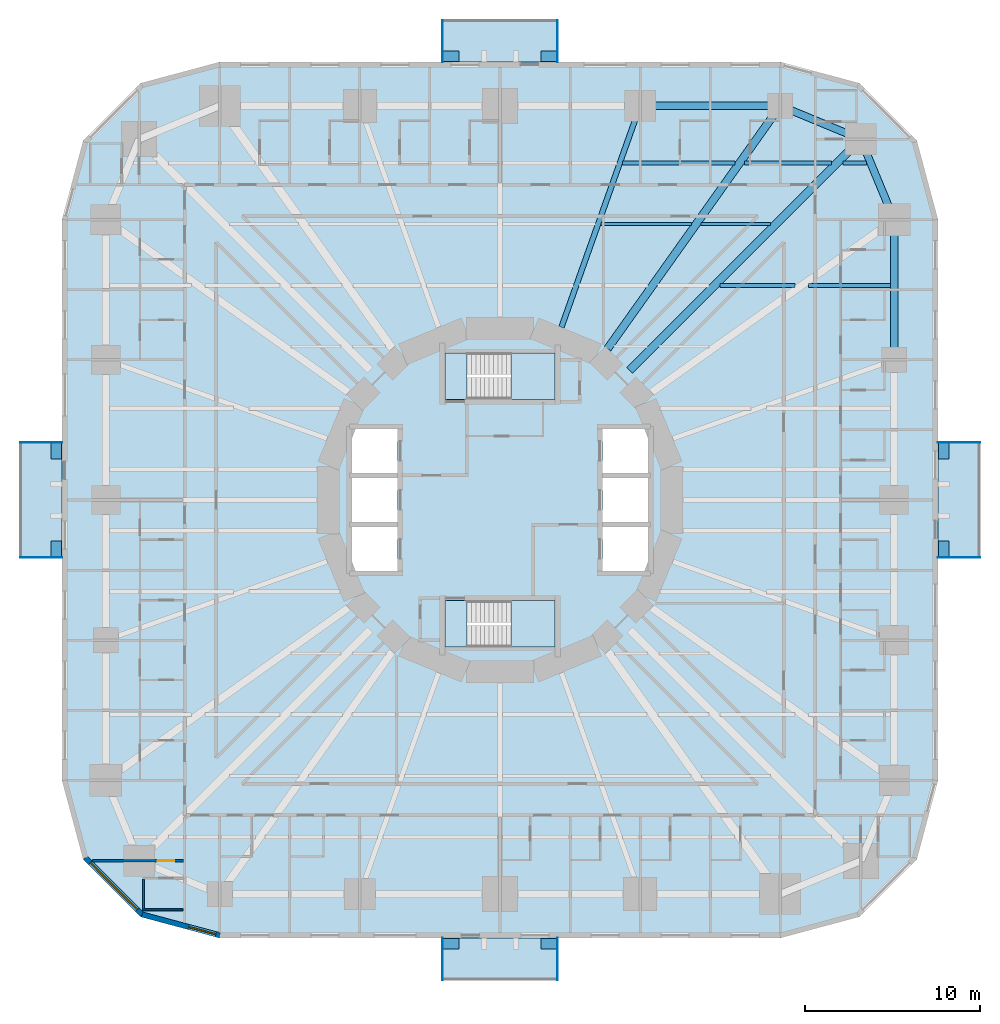
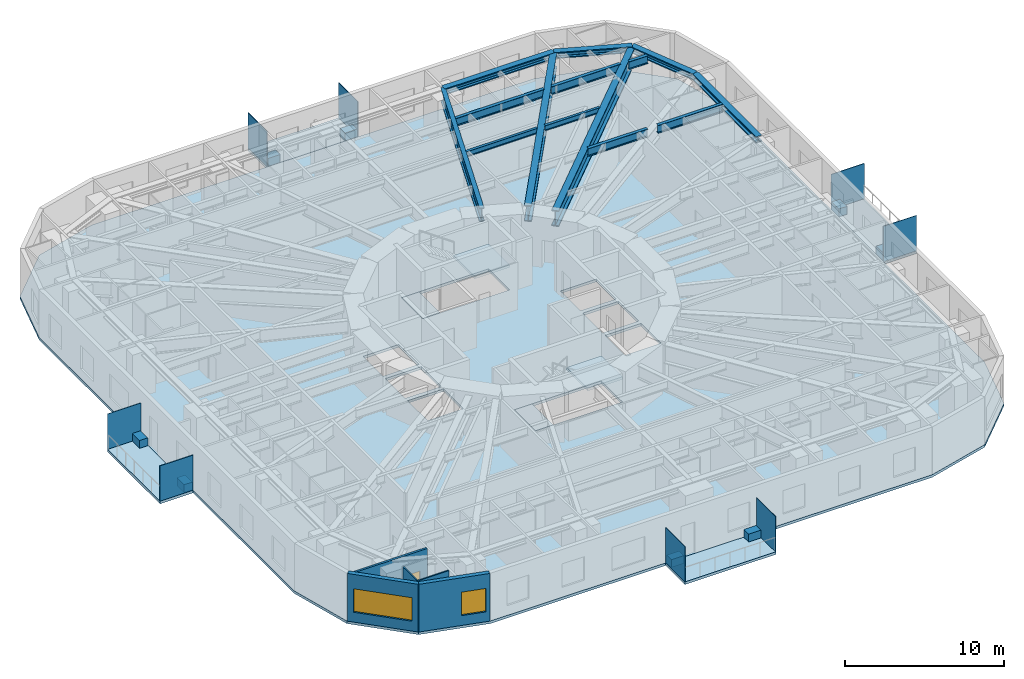
# One storey, part 3 of 14: 16 plates, 10 beams, 9 slabs, 5 walls, 4 members, 2 windows, 1 door, 3 openings, 2 elements without a shape of their own.
"""IFC4 building model written with IfcOpenShell, lengths in metres."""

from ifc_helpers import new_model, si_unit, direction, frame, frame_2d, origin, origin_2d, place, context, subcontext, project, spatial, polyline, rectangle, i_section, outline, extrude, material, layer, layer_set, material_profile, profile_set, type_object, element, fill, aggregate, save


model = new_model("IFC4")

# Units and contexts
model_context = context("Model", 3, precision=1e-05, world=origin(), true_north=direction((0.0, 1.0)))
body_context = subcontext(model_context, "Body", "Model", "MODEL_VIEW")
ifc_project = project(units=[si_unit("LENGTHUNIT", "METRE"), si_unit("AREAUNIT", "SQUARE_METRE"), si_unit("VOLUMEUNIT", "CUBIC_METRE"), si_unit("PLANEANGLEUNIT", "RADIAN"), si_unit("MASSUNIT", "GRAM", prefix="KILO")], contexts=[model_context])

# Site, building, storey
site_placement = place(None, origin())
site = spatial("IfcSite", under=ifc_project, at=site_placement, CompositionType="ELEMENT")
building_placement = place(site_placement, origin())
building = spatial("IfcBuilding", under=site, at=building_placement, Name="Nakasero Lantern House", CompositionType="ELEMENT")
storey_placement = place(building_placement, frame((0.0, 0.0, 50.64990234375)))
storey = spatial("IfcBuildingStorey", under=building, at=storey_placement, Name="L12", CompositionType="ELEMENT", Elevation=50.64990234375)

# Members
ifc_material_1 = material(Name="Steel S355", Category="steel")
ifc_material_profile_1 = material_profile(ifc_material_1, i_section(OverallWidth=0.424072265625, OverallDepth=0.474609375, WebThickness=0.047607421875, FlangeThickness=0.076904296875, FilletRadius=0.01513671875, at=origin_2d()), Name="UC 356x406x634")
ifc_profile_set_1 = profile_set([ifc_material_profile_1], Name="Steel S355")
member_type = type_object("IfcMemberType", Name="Belt truss chord UC 356x406x634", PredefinedType="CHORD", material=ifc_profile_set_1)
member_1_placement = place(storey_placement, frame((22.5, 8.0, 3.412841796875), z_axis=(0.0, 1.0, 0.0), x_axis=(-1.0, 0.0, 0.0)))
element("IfcMember", 1, at=member_1_placement, inside=storey, type_object=member_type, Name="Belt truss bottom chord T1 B1-C04", PredefinedType="CHORD", context=body_context, shape_type="SweptSolid", body=[
    extrude(i_section(OverallWidth=0.424072265625, OverallDepth=0.474609375, WebThickness=0.047607421875, FlangeThickness=0.076904296875, FilletRadius=0.01513671875, at=origin_2d()), origin(), (0.0, 0.0, 1.0), 8.0),
])
for number, where, z_axis, x_axis, name in (
    (2, (22.5, 16.0, 3.412841796875), (-0.382684080569, 0.923879264016, 0.0), (-0.923879264016, -0.382684080569, 0.0), "Belt truss bottom chord T1 B1-C05"),
    (3, (20.59619140625, 20.59619140625, 3.412841796875), (-0.923879264016, 0.382684080569, 0.0), (-0.382684080569, -0.923879264016, 0.0), "Belt truss bottom chord T1 B1-C06"),
):
    element("IfcMember", number, at=place(storey_placement, frame(where, z_axis=z_axis, x_axis=x_axis)), inside=storey, type_object=member_type, Name=name, PredefinedType="CHORD", context=body_context, shape_type="SweptSolid", body=[
        extrude(i_section(OverallWidth=0.424072265625, OverallDepth=0.474609375, WebThickness=0.047607421875, FlangeThickness=0.076904296875, FilletRadius=0.01513671875, at=origin_2d()), origin(), (0.0, 0.0, 1.0), 4.974853515625),
    ])
member_2_placement = place(storey_placement, frame((16.0, 22.5, 3.412841796875), z_axis=(-1.0, 0.0, 0.0), x_axis=(0.0, -1.0, 0.0)))
element("IfcMember", 4, at=member_2_placement, inside=storey, type_object=member_type, Name="Belt truss bottom chord T1 B1-C07", PredefinedType="CHORD", context=body_context, shape_type="SweptSolid", body=[
    extrude(i_section(OverallWidth=0.424072265625, OverallDepth=0.474609375, WebThickness=0.047607421875, FlangeThickness=0.076904296875, FilletRadius=0.01513671875, at=origin_2d()), origin(), (0.0, 0.0, 1.0), 8.0),
])

# Beams
ifc_material_2 = material(Name="Steel S355", Category="steel")
ifc_material_profile_2 = material_profile(ifc_material_2, i_section(OverallWidth=0.177978515625, OverallDepth=0.406494140625, WebThickness=0.0078125, FlangeThickness=0.0126953125, FilletRadius=0.01025390625, at=origin_2d()), Name="UB 406x178x60")
ifc_profile_set_2 = profile_set([ifc_material_profile_2], Name="Steel S355")
beam_type_1 = type_object("IfcBeamType", Name="Infill beam UB 406x178x60", PredefinedType="JOIST", material=ifc_profile_set_2)
beam_1_placement = place(storey_placement, frame((5.761962890625, 15.75, 3.44677734375), z_axis=(1.0, 0.0, 0.0), x_axis=(0.0, 1.0, 0.0)))
element("IfcBeam", 5, at=beam_1_placement, inside=storey, type_object=beam_type_1, Name="Infill beam L13 12.5", PredefinedType="JOIST", context=body_context, shape_type="SweptSolid", body=[
    extrude(i_section(OverallWidth=0.177978515625, OverallDepth=0.406494140625, WebThickness=0.0078125, FlangeThickness=0.0126953125, FilletRadius=0.01025390625, at=origin_2d()), origin(), (0.0, 0.0, 1.0), 5.161865234375),
])
beam_2_placement = place(storey_placement, frame((11.47607421875, 15.75, 3.44677734375), z_axis=(1.0, 0.0, 0.0), x_axis=(0.0, 1.0, 0.0)))
element("IfcBeam", 6, at=beam_2_placement, inside=storey, type_object=beam_type_1, Name="Infill beam L13 12.6", PredefinedType="JOIST", context=body_context, shape_type="SweptSolid", body=[
    extrude(i_section(OverallWidth=0.177978515625, OverallDepth=0.406494140625, WebThickness=0.0078125, FlangeThickness=0.0126953125, FilletRadius=0.01025390625, at=origin_2d()), origin(), (0.0, 0.0, 1.0), 3.955810546875),
])
ifc_material_3 = material(Name="Steel S355", Category="steel")
ifc_material_profile_3 = material_profile(ifc_material_3, i_section(OverallWidth=0.22900390625, OverallDepth=0.6123046875, WebThickness=0.011962890625, FlangeThickness=0.01953125, FilletRadius=0.0126953125, at=origin_2d()), Name="UB 610x229x125")
ifc_profile_set_3 = profile_set([ifc_material_profile_3], Name="Steel S355")
beam_type_2 = type_object("IfcBeamType", Name="Infill beam UB 610x229x125", PredefinedType="JOIST", material=ifc_profile_set_3)
beam_3_placement = place(storey_placement, frame((12.568115234375, 12.25, 3.343994140625), z_axis=(1.0, 0.0, 0.0), x_axis=(0.0, 1.0, 0.0)))
element("IfcBeam", 7, at=beam_3_placement, inside=storey, type_object=beam_type_2, Name="Infill beam L13 11.9", PredefinedType="JOIST", context=body_context, shape_type="SweptSolid", body=[
    extrude(i_section(OverallWidth=0.22900390625, OverallDepth=0.6123046875, WebThickness=0.011962890625, FlangeThickness=0.01953125, FilletRadius=0.0126953125, at=origin_2d()), origin(), (0.0, 0.0, 1.0), 4.270263671875),
])
beam_4_placement = place(storey_placement, frame((17.61474609375, 12.25, 3.343994140625), z_axis=(1.0, 0.0, 0.0), x_axis=(0.0, 1.0, 0.0)))
element("IfcBeam", 8, at=beam_4_placement, inside=storey, type_object=beam_type_2, Name="Infill beam L13 11.10", PredefinedType="JOIST", context=body_context, shape_type="SweptSolid", body=[
    extrude(i_section(OverallWidth=0.22900390625, OverallDepth=0.6123046875, WebThickness=0.011962890625, FlangeThickness=0.01953125, FilletRadius=0.0126953125, at=origin_2d()), origin(), (0.0, 0.0, 1.0), 4.67333984375),
])
beam_5_placement = place(storey_placement, frame((7.006591796875, 19.25, 3.343994140625), z_axis=(1.0, 0.0, 0.0), x_axis=(0.0, 1.0, 0.0)))
element("IfcBeam", 9, at=beam_5_placement, inside=storey, type_object=beam_type_2, Name="Infill beam L13 13.6", PredefinedType="JOIST", context=body_context, shape_type="SweptSolid", body=[
    extrude(i_section(OverallWidth=0.22900390625, OverallDepth=0.6123046875, WebThickness=0.011962890625, FlangeThickness=0.01953125, FilletRadius=0.0126953125, at=origin_2d()), origin(), (0.0, 0.0, 1.0), 6.40625),
])
beam_6_placement = place(storey_placement, frame((13.965087890625, 19.25, 3.343994140625), z_axis=(1.0, 0.0, 0.0), x_axis=(0.0, 1.0, 0.0)))
element("IfcBeam", 10, at=beam_6_placement, inside=storey, type_object=beam_type_2, Name="Infill beam L13 13.7", PredefinedType="JOIST", context=body_context, shape_type="SweptSolid", body=[
    extrude(i_section(OverallWidth=0.22900390625, OverallDepth=0.6123046875, WebThickness=0.011962890625, FlangeThickness=0.01953125, FilletRadius=0.0126953125, at=origin_2d()), origin(), (0.0, 0.0, 1.0), 4.966796875),
])
beam_7_placement = place(storey_placement, frame((19.568115234375, 19.25, 3.2939453125), z_axis=(1.0, 0.0, 0.0), x_axis=(0.0, 1.0, 0.0)))
element("IfcBeam", 11, at=beam_7_placement, inside=storey, type_object=beam_type_2, Name="Infill beam L13 13.8", PredefinedType="JOIST", context=body_context, shape_type="SweptSolid", body=[
    extrude(i_section(OverallWidth=0.22900390625, OverallDepth=0.6123046875, WebThickness=0.011962890625, FlangeThickness=0.01953125, FilletRadius=0.0126953125, at=origin_2d()), origin(), (0.0, 0.0, 1.0), 1.356201171875),
])
ifc_material_4 = material(Name="Steel S355", Category="steel")
ifc_material_profile_4 = material_profile(ifc_material_4, i_section(OverallWidth=0.449951171875, OverallDepth=1.199951171875, WebThickness=0.02490234375, FlangeThickness=0.06005859375, at=origin_2d()), Name="PG 1200x450x636")
ifc_profile_set_4 = profile_set([ifc_material_profile_4], Name="Steel S355")
beam_type_3 = type_object("IfcBeamType", Name="Primary beam PG 1200x450x636, span over 15 m", PredefinedType="BEAM", material=ifc_profile_set_4)
beam_8_placement = place(storey_placement, frame((20.59619140625, 20.59619140625, 3.0), z_axis=(-0.707106781187, -0.707106781187, 0.0), x_axis=(0.707106781187, -0.707106781187, 0.0)))
element("IfcBeam", 12, at=beam_8_placement, inside=storey, type_object=beam_type_3, Name="Primary beam L13 B1-C06", PredefinedType="BEAM", context=body_context, shape_type="SweptSolid", body=[
    extrude(i_section(OverallWidth=0.449951171875, OverallDepth=1.199951171875, WebThickness=0.02490234375, FlangeThickness=0.06005859375, at=origin_2d()), origin(), (0.0, 0.0, 1.0), 18.669677734375),
])
beam_9_placement = place(storey_placement, frame((16.0, 22.5, 3.050048828125), z_axis=(-0.579528236629, -0.814952159915, 0.0), x_axis=(0.814952159915, -0.579528236629, 0.0)))
element("IfcBeam", 13, at=beam_9_placement, inside=storey, type_object=beam_type_3, Name="Primary beam L13 B1-C07", PredefinedType="BEAM", context=body_context, shape_type="SweptSolid", body=[
    extrude(i_section(OverallWidth=0.449951171875, OverallDepth=1.199951171875, WebThickness=0.02490234375, FlangeThickness=0.06005859375, at=origin_2d()), origin(), (0.0, 0.0, 1.0), 17.003173828125),
])
ifc_material_5 = material(Name="Steel S355", Category="steel")
ifc_material_profile_5 = material_profile(ifc_material_5, i_section(OverallWidth=0.305419921875, OverallDepth=1.026123046875, WebThickness=0.02685546875, FlangeThickness=0.049072265625, FilletRadius=0.030029296875, at=origin_2d()), Name="UB 1016x305x437")
ifc_profile_set_5 = profile_set([ifc_material_profile_5], Name="Steel S355")
beam_type_4 = type_object("IfcBeamType", Name="Primary beam UB 1016x305x437, span 12 to 15 m", PredefinedType="BEAM", material=ifc_profile_set_5)
beam_10_placement = place(storey_placement, frame((8.0, 22.5, 3.136962890625), z_axis=(-0.335010745293, -0.942214307118, 0.0), x_axis=(0.942214307118, -0.335010745293, 0.0)))
element("IfcBeam", 14, at=beam_10_placement, inside=storey, type_object=beam_type_4, Name="Primary beam L13 B1-C08", PredefinedType="BEAM", context=body_context, shape_type="SweptSolid", body=[
    extrude(i_section(OverallWidth=0.305419921875, OverallDepth=1.026123046875, WebThickness=0.02685546875, FlangeThickness=0.049072265625, FilletRadius=0.030029296875, at=origin_2d()), origin(), (0.0, 0.0, 1.0), 13.408447265625),
])

# Plates
ifc_material_6 = material(Name="Aluminium 6063-T6", Category="aluminium")
ifc_layer_1 = layer(ifc_material_6, 0.60009765625)
ifc_layer_set_1 = layer_set([ifc_layer_1], Name="Balcony planter 600x900")
plate_type_1 = type_object("IfcPlateType", Name="Balcony planter 600x900", PredefinedType="USERDEFINED", material=ifc_layer_set_1)
for number, where, z_axis, x_axis, name in (
    (15, (25.320068359375, -2.7900390625, 0.0), (0.0, 0.0, 1.0), (1.0, 0.0, 0.0), "Balcony PLANTER L12 BAL0A"),
    (16, (25.320068359375, 2.7900390625, 0.0), (0.0, 0.0, 1.0), (1.0, 0.0, 0.0), "Balcony PLANTER L12 BAL0B"),
    (17, (2.7900390625, 25.320068359375, 0.0), (0.0, 0.0, 1.0), (0.0, 1.0, 0.0), "Balcony PLANTER L12 BAL1A"),
    (18, (-2.7900390625, 25.320068359375, 0.0), (0.0, 0.0, 1.0), (0.0, 1.0, 0.0), "Balcony PLANTER L12 BAL1B"),
    (19, (-25.320068359375, 2.7900390625, 0.0), (0.0, 0.0, 1.0), (-1.0, 0.0, 0.0), "Balcony PLANTER L12 BAL2A"),
    (20, (-25.320068359375, -2.7900390625, 0.0), (0.0, 0.0, 1.0), (-1.0, 0.0, 0.0), "Balcony PLANTER L12 BAL2B"),
    (21, (-2.7900390625, -25.320068359375, 0.0), (0.0, 0.0, 1.0), (0.0, -1.0, 0.0), "Balcony PLANTER L12 BAL3A"),
    (22, (2.7900390625, -25.320068359375, 0.0), (0.0, 0.0, 1.0), (0.0, -1.0, 0.0), "Balcony PLANTER L12 BAL3B"),
):
    element("IfcPlate", number, at=place(storey_placement, frame(where, z_axis=z_axis, x_axis=x_axis)), inside=storey, type_object=plate_type_1, Name=name, ObjectType="PLANTER", PredefinedType="USERDEFINED", context=body_context, shape_type="SweptSolid", body=[
        extrude(rectangle(XDim=0.60009765625, YDim=0.89990234375, at=origin_2d()), origin(), (0.0, 0.0, 1.0), 0.60009765625),
    ])
ifc_material_7 = material(Name="Aluminium 6063-T6", Category="aluminium")
ifc_layer_2 = layer(ifc_material_7, 0.0400390625)
ifc_layer_set_2 = layer_set([ifc_layer_2], Name="Balcony screen 2400x2700")
plate_type_2 = type_object("IfcPlateType", Name="Balcony screen 2400x2700", PredefinedType="SHEET", material=ifc_layer_set_2)
for number, where, z_axis, x_axis, name in (
    (23, (26.199951171875, -3.280029296875, 0.0), (0.0, 0.0, 1.0), (1.0, 0.0, 0.0), "Balcony SCREEN L12 BAL0A"),
    (24, (26.199951171875, 3.280029296875, 0.0), (0.0, 0.0, 1.0), (1.0, 0.0, 0.0), "Balcony SCREEN L12 BAL0B"),
    (25, (3.280029296875, 26.199951171875, 0.0), (0.0, 0.0, 1.0), (0.0, 1.0, 0.0), "Balcony SCREEN L12 BAL1A"),
    (26, (-3.280029296875, 26.199951171875, 0.0), (0.0, 0.0, 1.0), (0.0, 1.0, 0.0), "Balcony SCREEN L12 BAL1B"),
    (27, (-26.199951171875, 3.280029296875, 0.0), (0.0, 0.0, 1.0), (-1.0, 0.0, 0.0), "Balcony SCREEN L12 BAL2A"),
    (28, (-26.199951171875, -3.280029296875, 0.0), (0.0, 0.0, 1.0), (-1.0, 0.0, 0.0), "Balcony SCREEN L12 BAL2B"),
    (29, (-3.280029296875, -26.199951171875, 0.0), (0.0, 0.0, 1.0), (0.0, -1.0, 0.0), "Balcony SCREEN L12 BAL3A"),
    (30, (3.280029296875, -26.199951171875, 0.0), (0.0, 0.0, 1.0), (0.0, -1.0, 0.0), "Balcony SCREEN L12 BAL3B"),
):
    element("IfcPlate", number, at=place(storey_placement, frame(where, z_axis=z_axis, x_axis=x_axis)), inside=storey, type_object=plate_type_2, Name=name, PredefinedType="SHEET", context=body_context, shape_type="SweptSolid", body=[
        extrude(rectangle(XDim=2.39990234375, YDim=0.0400390625, at=origin_2d()), origin(), (0.0, 0.0, 1.0), 2.699951171875),
    ])

# Slabs
ifc_material_8 = material(Name="Concrete C35/45", Category="concrete")
ifc_layer_3 = layer(ifc_material_8, 0.199951171875)
ifc_layer_set_3 = layer_set([ifc_layer_3], Name="Balcony slab 200")
slab_type_1 = type_object("IfcSlabType", Name="Balcony slab 200", PredefinedType="USERDEFINED", material=ifc_layer_set_3)
slab_1_placement = place(storey_placement, frame((0.0, 0.0, -0.199951171875)))
element("IfcSlab", 31, at=slab_1_placement, inside=storey, type_object=slab_type_1, Name="Balcony L12 BAL0", ObjectType="BALCONY", PredefinedType="USERDEFINED", context=body_context, shape_type="SweptSolid", body=[
    extrude(outline(polyline([(25.0, -3.300048828125), (27.39990234375, -3.300048828125), (27.39990234375, 3.300048828125), (25.0, 3.300048828125), (25.0, -3.300048828125)])), origin(), (0.0, 0.0, 1.0), 0.199951171875),
])
slab_2_placement = place(storey_placement, frame((0.0, 0.0, -0.199951171875)))
element("IfcSlab", 32, at=slab_2_placement, inside=storey, type_object=slab_type_1, Name="Balcony L12 BAL1", ObjectType="BALCONY", PredefinedType="USERDEFINED", context=body_context, shape_type="SweptSolid", body=[
    extrude(outline(polyline([(3.300048828125, 25.0), (3.300048828125, 27.39990234375), (-3.300048828125, 27.39990234375), (-3.300048828125, 25.0), (3.300048828125, 25.0)])), origin(), (0.0, 0.0, 1.0), 0.199951171875),
])
slab_3_placement = place(storey_placement, frame((0.0, 0.0, -0.199951171875)))
element("IfcSlab", 33, at=slab_3_placement, inside=storey, type_object=slab_type_1, Name="Balcony L12 BAL2", ObjectType="BALCONY", PredefinedType="USERDEFINED", context=body_context, shape_type="SweptSolid", body=[
    extrude(outline(polyline([(-25.0, 3.300048828125), (-27.39990234375, 3.300048828125), (-27.39990234375, -3.300048828125), (-25.0, -3.300048828125), (-25.0, 3.300048828125)])), origin(), (0.0, 0.0, 1.0), 0.199951171875),
])
slab_4_placement = place(storey_placement, frame((0.0, 0.0, -0.199951171875)))
element("IfcSlab", 34, at=slab_4_placement, inside=storey, type_object=slab_type_1, Name="Balcony L12 BAL3", ObjectType="BALCONY", PredefinedType="USERDEFINED", context=body_context, shape_type="SweptSolid", body=[
    extrude(outline(polyline([(-3.300048828125, -25.0), (-3.300048828125, -27.39990234375), (3.300048828125, -27.39990234375), (3.300048828125, -25.0), (-3.300048828125, -25.0)])), origin(), (0.0, 0.0, 1.0), 0.199951171875),
])
ifc_material_9 = material(Name="Concrete C35/45", Category="concrete")
ifc_layer_4 = layer(ifc_material_9, 0.199951171875)
ifc_layer_set_4 = layer_set([ifc_layer_4], Name="Composite floor slab 200")
slab_type_2 = type_object("IfcSlabType", Name="Composite floor slab 200", PredefinedType="FLOOR", material=ifc_layer_set_4)
slab_5_placement = place(storey_placement, frame((0.0, 0.0, -0.199951171875)))
element("IfcSlab", 35, at=slab_5_placement, inside=storey, type_object=slab_type_2, Name="Floor slab L12", PredefinedType="FLOOR", context=body_context, shape_type="SweptSolid", body=[
    extrude(outline(polyline([(25.0, 16.0), (23.794189453125, 20.5), (20.5, 23.794189453125), (16.0, 25.0), (-16.0, 25.0), (-20.5, 23.794189453125), (-23.794189453125, 20.5), (-25.0, 16.0), (-25.0, -16.0), (-23.794189453125, -20.5), (-20.5, -23.794189453125), (-16.0, -25.0), (16.0, -25.0), (20.5, -23.794189453125), (23.794189453125, -20.5), (25.0, -16.0), (25.0, 16.0)]), holes=[polyline([(-8.449951171875, -4.050048828125), (-5.85009765625, -4.050048828125), (-5.85009765625, -1.550048828125), (-8.449951171875, -1.550048828125), (-8.449951171875, -4.050048828125)]), polyline([(-8.449951171875, -1.25), (-5.85009765625, -1.25), (-5.85009765625, 1.25), (-8.449951171875, 1.25), (-8.449951171875, -1.25)]), polyline([(-8.449951171875, 1.550048828125), (-5.85009765625, 1.550048828125), (-5.85009765625, 4.050048828125), (-8.449951171875, 4.050048828125), (-8.449951171875, 1.550048828125)]), polyline([(5.85009765625, -4.050048828125), (8.449951171875, -4.050048828125), (8.449951171875, -1.550048828125), (5.85009765625, -1.550048828125), (5.85009765625, -4.050048828125)]), polyline([(5.85009765625, -1.25), (8.449951171875, -1.25), (8.449951171875, 1.25), (5.85009765625, 1.25), (5.85009765625, -1.25)]), polyline([(5.85009765625, 1.550048828125), (8.449951171875, 1.550048828125), (8.449951171875, 4.050048828125), (5.85009765625, 4.050048828125), (5.85009765625, 1.550048828125)]), polyline([(-3.14990234375, 5.75), (3.14990234375, 5.75), (3.14990234375, 8.39990234375), (-3.14990234375, 8.39990234375), (-3.14990234375, 5.75)]), polyline([(-3.14990234375, -8.39990234375), (3.14990234375, -8.39990234375), (3.14990234375, -5.75), (-3.14990234375, -5.75), (-3.14990234375, -8.39990234375)])]), origin(), (0.0, 0.0, 1.0), 0.199951171875),
])

# Stair, slabs
ifc_material_10 = material(Name="Concrete C40/50", Category="concrete")
stair_type_1 = type_object("IfcStairType", Name="Escape stair ST1 22 risers", PredefinedType="HALF_TURN_STAIR", material=ifc_material_10)
stair_1_placement = place(storey_placement, origin())
stair_1 = element("IfcStair", 36, at=stair_1_placement, inside=storey, type_object=stair_type_1, Name="Escape stair ST1 L12", PredefinedType="HALF_TURN_STAIR")
ifc_material_11 = material(Name="Concrete C40/50", Category="concrete")
ifc_layer_5 = layer(ifc_material_11, 0.199951171875)
ifc_layer_set_5 = layer_set([ifc_layer_5], Name="Stair landing 200")
slab_type_3 = type_object("IfcSlabType", Name="Stair landing 200", PredefinedType="LANDING", material=ifc_layer_set_5)
slab_6_placement = place(storey_placement, frame((0.0, 0.0, -0.199951171875)))
slab_6 = element("IfcSlab", 37, at=slab_6_placement, type_object=slab_type_3, Name="ST1 landing 1", PredefinedType="LANDING", context=body_context, shape_type="SweptSolid", body=[
    extrude(outline(polyline([(-3.14990234375, 5.75), (-1.875, 5.75), (-1.875, 8.39990234375), (-3.14990234375, 8.39990234375), (-3.14990234375, 5.75)])), origin(), (0.0, 0.0, 1.0), 0.199951171875),
])
slab_7_placement = place(storey_placement, frame((0.0, 0.0, 1.72509765625)))
slab_7 = element("IfcSlab", 38, at=slab_7_placement, type_object=slab_type_3, Name="ST1 landing 2", PredefinedType="LANDING", context=body_context, shape_type="SweptSolid", body=[
    extrude(outline(polyline([(0.625, 5.75), (3.14990234375, 5.75), (3.14990234375, 8.39990234375), (0.625, 8.39990234375), (0.625, 5.75)])), origin(), (0.0, 0.0, 1.0), 0.199951171875),
])
aggregate(stair_1, [slab_6, slab_7])

ifc_material_12 = material(Name="Concrete C40/50", Category="concrete")
stair_type_2 = type_object("IfcStairType", Name="Escape stair ST2 22 risers", PredefinedType="HALF_TURN_STAIR", material=ifc_material_12)
stair_2_placement = place(storey_placement, origin())
stair_2 = element("IfcStair", 39, at=stair_2_placement, inside=storey, type_object=stair_type_2, Name="Escape stair ST2 L12", PredefinedType="HALF_TURN_STAIR")
slab_8_placement = place(storey_placement, frame((0.0, 0.0, -0.199951171875)))
slab_8 = element("IfcSlab", 40, at=slab_8_placement, type_object=slab_type_3, Name="ST2 landing 1", PredefinedType="LANDING", context=body_context, shape_type="SweptSolid", body=[
    extrude(outline(polyline([(-3.14990234375, -8.39990234375), (-1.875, -8.39990234375), (-1.875, -5.75), (-3.14990234375, -5.75), (-3.14990234375, -8.39990234375)])), origin(), (0.0, 0.0, 1.0), 0.199951171875),
])
slab_9_placement = place(storey_placement, frame((0.0, 0.0, 1.72509765625)))
slab_9 = element("IfcSlab", 41, at=slab_9_placement, type_object=slab_type_3, Name="ST2 landing 2", PredefinedType="LANDING", context=body_context, shape_type="SweptSolid", body=[
    extrude(outline(polyline([(0.625, -8.39990234375), (3.14990234375, -8.39990234375), (3.14990234375, -5.75), (0.625, -5.75), (0.625, -8.39990234375)])), origin(), (0.0, 0.0, 1.0), 0.199951171875),
])
aggregate(stair_2, [slab_8, slab_9])

# Walls
ifc_material_13 = material(Name="Blockwork", Category="masonry")
ifc_layer_6 = layer(ifc_material_13, 0.10009765625)
ifc_layer_set_6 = layer_set([ifc_layer_6], Name="En-suite wall 100")
wall_type_1 = type_object("IfcWallType", Name="En-suite wall 100", PredefinedType="PARTITIONING", material=ifc_layer_set_6)
wall_1_placement = place(storey_placement, frame((-20.35009765625, -21.646240234375, 0.0), z_axis=(0.0, 0.0, 1.0), x_axis=(0.0, -1.0, 0.0)))
element("IfcWall", 42, at=wall_1_placement, inside=storey, type_object=wall_type_1, Name="En-suite wall L12 EE2-09", PredefinedType="PARTITIONING", context=body_context, shape_type="SweptSolid", body=[
    extrude(rectangle(XDim=1.699951171875, YDim=0.10009765625, at=frame_2d((0.85009765625, 0.0))), origin(), (0.0, 0.0, 1.0), 3.650146484375),
])
wall_2_placement = place(storey_placement, frame((-18.10009765625, -23.396240234375, 0.0), z_axis=(0.0, 0.0, 1.0), x_axis=(-1.0, 0.0, 0.0)))
element("IfcWall", 43, at=wall_2_placement, inside=storey, type_object=wall_type_1, Name="En-suite wall L12 EV2-09", PredefinedType="PARTITIONING", context=body_context, shape_type="SweptSolid", body=[
    extrude(rectangle(XDim=2.2998046875, YDim=0.10009765625, at=frame_2d((1.14990234375, 0.0))), origin(), (0.0, 0.0, 1.0), 3.650146484375),
])

# Wall, opening, window
ifc_material_14 = material(Name="Aluminium rainscreen on blockwork", Category="masonry")
ifc_layer_7 = layer(ifc_material_14, 0.300048828125)
ifc_layer_set_7 = layer_set([ifc_layer_7], Name="Facade wall 300")
wall_type_2 = type_object("IfcWallType", Name="Facade wall 300", PredefinedType="SOLIDWALL", material=ifc_layer_set_7)
wall_3_placement = place(storey_placement, frame((-23.664306640625, -20.425048828125, 0.0), z_axis=(0.0, 0.0, 1.0), x_axis=(0.707106781187, -0.707106781187, 0.0)))
wall_3 = element("IfcWall", 44, at=wall_3_placement, inside=storey, type_object=wall_type_2, Name="Facade wall L12 FW2C2", PredefinedType="SOLIDWALL", context=body_context, shape_type="SweptSolid", body=[
    extrude(rectangle(XDim=4.5810546875, YDim=0.300048828125, at=frame_2d((2.29052734375, 0.0))), origin(), (0.0, 0.0, 1.0), 3.650146484375),
])
opening_1_placement = place(wall_3_placement, frame((0.39990234375, 0.0, 0.75)))
opening_1 = element("IfcOpeningElement", 45, at=opening_1_placement, cuts=wall_3, Name="Opening W237", PredefinedType="OPENING", context=body_context, shape_type="SweptSolid", body=[
    extrude(rectangle(XDim=3.781005859375, YDim=1.800048828125, at=frame_2d((1.890625, 0.89990234375))), frame((0.0, 0.169921875, 0.0), z_axis=(0.0, -1.0, 0.0), x_axis=(1.0, 0.0, 0.0)), (0.0, 0.0, 1.0), 0.340087890625),
])
ifc_material_15 = material(Name="Aluminium 6063-T6 and glass", Category="aluminium")
window_type_1 = type_object("IfcWindowType", Name="Corner window 3781x1800", PartitioningType="SINGLE_PANEL", PredefinedType="WINDOW", material=ifc_material_15)
window_1_placement = place(opening_1_placement, origin())
window_1 = element("IfcWindow", 46, at=window_1_placement, inside=storey, type_object=window_type_1, Name="Window L12 WC2", OverallHeight=1.800048828125, OverallWidth=3.781005859375, PartitioningType="SINGLE_PANEL", PredefinedType="WINDOW", context=body_context, shape_type="SweptSolid", body=[
    extrude(rectangle(XDim=3.781005859375, YDim=1.800048828125, at=frame_2d((1.890625, 0.89990234375))), frame((0.0, 0.030029296875, 0.0), z_axis=(0.0, -1.0, 0.0), x_axis=(1.0, 0.0, 0.0)), (0.0, 0.0, 1.0), 0.06005859375),
])
fill(opening_1, window_1)

wall_4_placement = place(storey_placement, frame((-20.425048828125, -23.664306640625, 0.0), z_axis=(0.0, 0.0, 1.0), x_axis=(0.965920218567, -0.258839972501, 0.0)))
wall_4 = element("IfcWall", 47, at=wall_4_placement, inside=storey, type_object=wall_type_2, Name="Facade wall L12 FW2C3", PredefinedType="SOLIDWALL", context=body_context, shape_type="SweptSolid", body=[
    extrude(rectangle(XDim=4.5810546875, YDim=0.300048828125, at=frame_2d((2.29052734375, 0.0))), origin(), (0.0, 0.0, 1.0), 3.650146484375),
])
opening_2_placement = place(wall_4_placement, frame((2.74609375, 0.0, 0.75)))
opening_2 = element("IfcOpeningElement", 48, at=opening_2_placement, cuts=wall_4, Name="Opening W01", PredefinedType="OPENING", context=body_context, shape_type="SweptSolid", body=[
    extrude(rectangle(XDim=1.60009765625, YDim=1.800048828125, at=frame_2d((0.800048828125, 0.89990234375))), frame((0.0, 0.169921875, 0.0), z_axis=(0.0, -1.0, 0.0), x_axis=(1.0, 0.0, 0.0)), (0.0, 0.0, 1.0), 0.340087890625),
])
ifc_material_16 = material(Name="Aluminium 6063-T6 and glass", Category="aluminium")
window_type_2 = type_object("IfcWindowType", Name="Bedroom window 1600x1800", PartitioningType="SINGLE_PANEL", PredefinedType="WINDOW", material=ifc_material_16)
window_2_placement = place(opening_2_placement, origin())
window_2 = element("IfcWindow", 49, at=window_2_placement, inside=storey, type_object=window_type_2, Name="Window L12 WN3-00", OverallHeight=1.800048828125, OverallWidth=1.60009765625, PartitioningType="SINGLE_PANEL", PredefinedType="WINDOW", context=body_context, shape_type="SweptSolid", body=[
    extrude(rectangle(XDim=1.60009765625, YDim=1.800048828125, at=frame_2d((0.800048828125, 0.89990234375))), frame((0.0, 0.030029296875, 0.0), z_axis=(0.0, -1.0, 0.0), x_axis=(1.0, 0.0, 0.0)), (0.0, 0.0, 1.0), 0.06005859375),
])
fill(opening_2, window_2)

# Wall, opening, door
ifc_material_17 = material(Name="Blockwork", Category="masonry")
ifc_layer_8 = layer(ifc_material_17, 0.14990234375)
ifc_layer_set_8 = layer_set([ifc_layer_8], Name="Party wall 150")
wall_type_3 = type_object("IfcWallType", Name="Party wall 150", PredefinedType="PARTITIONING", material=ifc_layer_set_8)
wall_5_placement = place(storey_placement, frame((-18.06494140625, -20.59619140625, 0.0), z_axis=(0.0, 0.0, 1.0), x_axis=(-1.0, 0.0, 0.0)))
wall_5 = element("IfcWall", 50, at=wall_5_placement, inside=storey, type_object=wall_type_3, Name="Party wall L12 PC2", PredefinedType="PARTITIONING", context=body_context, shape_type="SweptSolid", body=[
    extrude(rectangle(XDim=5.208740234375, YDim=0.14990234375, at=frame_2d((2.6044921875, 0.0))), origin(), (0.0, 0.0, 1.0), 3.650146484375),
])
opening_3_placement = place(wall_5_placement, frame((0.534912109375, 0.0, 0.0)))
opening_3 = element("IfcOpeningElement", 51, at=opening_3_placement, cuts=wall_5, Name="Opening D01", PredefinedType="OPENING", context=body_context, shape_type="SweptSolid", body=[
    extrude(rectangle(XDim=0.949951171875, YDim=2.10009765625, at=frame_2d((0.47509765625, 1.050048828125))), frame((0.0, 0.094970703125, 0.0), z_axis=(0.0, -1.0, 0.0), x_axis=(1.0, 0.0, 0.0)), (0.0, 0.0, 1.0), 0.18994140625),
])
ifc_material_18 = material(Name="Timber C24", Category="wood")
door_type = type_object("IfcDoorType", Name="Bedroom door FD30S 950", OperationType="SINGLE_SWING_LEFT", PredefinedType="DOOR", material=ifc_material_18)
door_placement = place(opening_3_placement, origin())
door = element("IfcDoor", 52, at=door_placement, inside=storey, type_object=door_type, Name="Door L12 DC2", OperationType="SINGLE_SWING_LEFT", OverallHeight=2.10009765625, OverallWidth=0.949951171875, PredefinedType="DOOR", context=body_context, shape_type="SweptSolid", body=[
    extrude(rectangle(XDim=0.949951171875, YDim=2.10009765625, at=frame_2d((0.47509765625, 1.050048828125))), frame((0.0, 0.02490234375, 0.0), z_axis=(0.0, -1.0, 0.0), x_axis=(1.0, 0.0, 0.0)), (0.0, 0.0, 1.0), 0.050048828125),
])
fill(opening_3, door)

save(model, "model.ifc")
